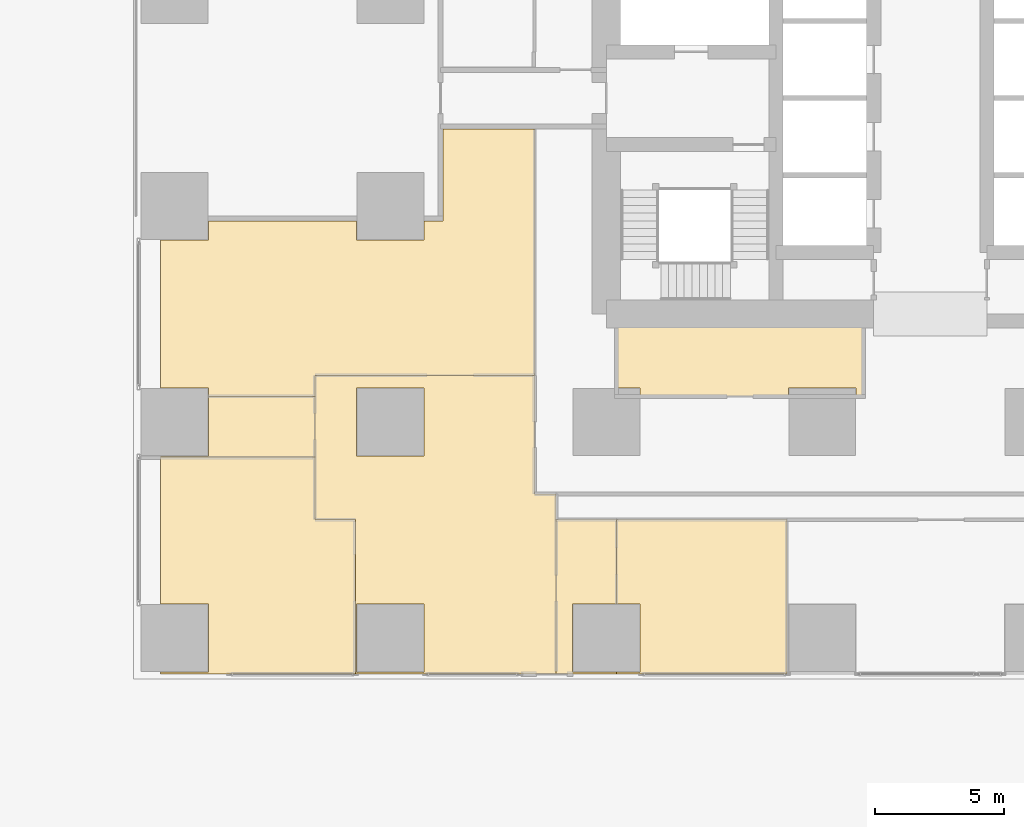
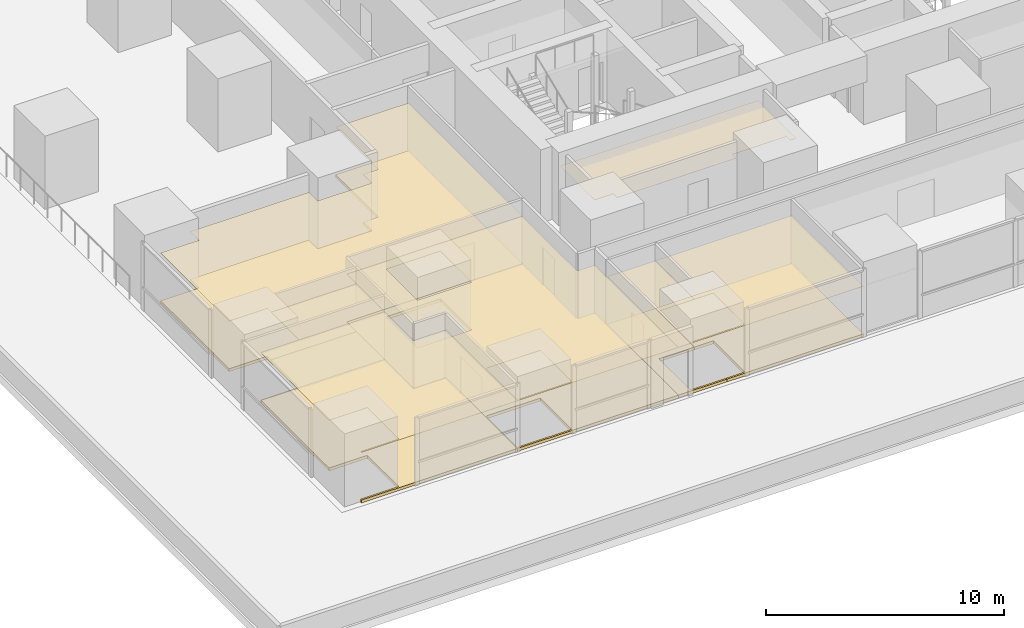
# One storey, part 27 of 35: 13 coverings.
"""IFC4 building model written with IfcOpenShell, lengths in metres."""

from ifc_helpers import new_model, si_unit, direction, frame, origin, place, context, subcontext, project, spatial, polyline, outline, extrude, material, layer, layer_set, type_object, element, save


model = new_model("IFC4")

# Units and contexts
model_context = context("Model", 3, precision=1e-05, world=origin(), true_north=direction((0.0, 1.0)))
body_context = subcontext(model_context, "Body", "Model", "MODEL_VIEW")
ifc_project = project(units=[si_unit("LENGTHUNIT", "METRE"), si_unit("AREAUNIT", "SQUARE_METRE"), si_unit("VOLUMEUNIT", "CUBIC_METRE"), si_unit("PLANEANGLEUNIT", "RADIAN"), si_unit("MASSUNIT", "GRAM", prefix="KILO")], contexts=[model_context])

# Site, building, storey
site_placement = place(None, origin())
site = spatial("IfcSite", under=ifc_project, at=site_placement, CompositionType="ELEMENT")
building_placement = place(site_placement, origin())
building = spatial("IfcBuilding", under=site, at=building_placement, Name="Rekha Terrace Tower", CompositionType="ELEMENT")
storey_placement = place(building_placement, frame((0.0, 0.0, 25.39990234375)))
storey = spatial("IfcBuildingStorey", under=building, at=storey_placement, Name="L05", CompositionType="ELEMENT", Elevation=25.39990234375)

# Coverings
ifc_material_1 = material(Name="Mineral fibre tile in exposed grid", Category="finish")
ifc_layer_1 = layer(ifc_material_1, 0.02001953125)
ifc_layer_set_1 = layer_set([ifc_layer_1], Name="Mineral fibre tile in exposed grid")
covering_type_1 = type_object("IfcCoveringType", Name="CL1 600x1200 office grid ceiling", PredefinedType="CEILING", material=ifc_layer_set_1)
covering_1_placement = place(storey_placement, frame((0.0, 0.0, 2.580078125)))
element("IfcCovering", 1, at=covering_1_placement, inside=storey, type_object=covering_type_1, Name="Ceiling L05-07", PredefinedType="CEILING", context=body_context, shape_type="SweptSolid", body=[
    extrude(outline(polyline([(25.59912109375, 9.715087890625), (25.59912109375, 13.0), (23.2509765625, 13.0), (23.2509765625, 7.0), (25.59912109375, 7.0), (25.59912109375, 7.0849609375), (23.885009765625, 7.0849609375), (23.885009765625, 9.715087890625), (25.59912109375, 9.715087890625)])), origin(), (0.0, 0.0, 1.0), 0.02001953125),
])
covering_2_placement = place(storey_placement, frame((0.0, 0.0, 2.580078125)))
element("IfcCovering", 2, at=covering_2_placement, inside=storey, type_object=covering_type_1, Name="Ceiling L05-08", PredefinedType="CEILING", context=body_context, shape_type="SweptSolid", body=[
    extrude(outline(polyline([(32.23388671875, 7.0), (32.23388671875, 13.0), (25.60009765625, 13.0), (25.60009765625, 9.715087890625), (26.514892578125, 9.715087890625), (26.514892578125, 7.0849609375), (25.60009765625, 7.0849609375), (25.60009765625, 7.0), (32.23388671875, 7.0)])), origin(), (0.0, 0.0, 1.0), 0.02001953125),
])
covering_3_placement = place(storey_placement, frame((0.0, 0.0, 2.580078125)))
element("IfcCovering", 3, at=covering_3_placement, inside=storey, type_object=covering_type_1, Name="Ceiling L05-16", PredefinedType="CEILING", context=body_context, shape_type="SweptSolid", body=[
    extrude(outline(polyline([(9.715087890625, 18.114990234375), (9.715087890625, 17.801025390625), (13.860107421875, 17.801025390625), (13.860107421875, 18.618896484375), (22.39990234375, 18.618896484375), (22.39990234375, 28.198974609375), (18.85107421875, 28.198974609375), (18.85107421875, 24.618896484375), (18.114990234375, 24.618896484375), (18.114990234375, 23.885009765625), (15.485107421875, 23.885009765625), (15.485107421875, 24.618896484375), (9.715087890625, 24.618896484375), (9.715087890625, 23.885009765625), (7.860107421875, 23.885009765625), (7.860107421875, 18.114990234375), (9.715087890625, 18.114990234375)])), origin(), (0.0, 0.0, 1.0), 0.02001953125),
])
covering_4_placement = place(storey_placement, frame((0.0, 0.0, 2.580078125)))
element("IfcCovering", 4, at=covering_4_placement, inside=storey, type_object=covering_type_1, Name="Ceiling L05-17", PredefinedType="CEILING", context=body_context, shape_type="SweptSolid", body=[
    extrude(outline(polyline([(9.715087890625, 15.485107421875), (7.860107421875, 15.485107421875), (7.860107421875, 15.447998046875), (13.860107421875, 15.447998046875), (13.860107421875, 17.800048828125), (9.715087890625, 17.800048828125), (9.715087890625, 15.485107421875)])), origin(), (0.0, 0.0, 1.0), 0.02001953125),
])
covering_5_placement = place(storey_placement, frame((0.0, 0.0, 2.580078125)))
element("IfcCovering", 5, at=covering_5_placement, inside=storey, type_object=covering_type_1, Name="Ceiling L05-18", PredefinedType="CEILING", context=body_context, shape_type="SweptSolid", body=[
    extrude(outline(polyline([(7.860107421875, 7.0), (15.43505859375, 7.0), (15.43505859375, 13.0), (13.860107421875, 13.0), (13.860107421875, 15.447021484375), (7.860107421875, 15.447021484375), (7.860107421875, 9.715087890625), (9.715087890625, 9.715087890625), (9.715087890625, 7.0849609375), (7.860107421875, 7.0849609375), (7.860107421875, 7.0)])), origin(), (0.0, 0.0, 1.0), 0.02001953125),
])
covering_6_placement = place(storey_placement, frame((0.0, 0.0, 2.580078125)))
element("IfcCovering", 6, at=covering_6_placement, inside=storey, type_object=covering_type_1, Name="Ceiling L05-O4", PredefinedType="CEILING", context=body_context, shape_type="SweptSolid", body=[
    extrude(outline(polyline([(22.39990234375, 18.618896484375), (13.860107421875, 18.618896484375), (13.860107421875, 13.0), (15.43505859375, 13.0), (15.43505859375, 7.0), (23.25, 7.0), (23.25, 14.0), (22.39990234375, 14.0), (22.39990234375, 18.618896484375)]), holes=[polyline([(18.114990234375, 7.0849609375), (15.485107421875, 7.0849609375), (15.485107421875, 9.715087890625), (18.114990234375, 9.715087890625), (18.114990234375, 7.0849609375)]), polyline([(18.114990234375, 15.485107421875), (15.485107421875, 15.485107421875), (15.485107421875, 18.114990234375), (18.114990234375, 18.114990234375), (18.114990234375, 15.485107421875)])]), origin(), (0.0, 0.0, 1.0), 0.02001953125),
])
ifc_material_2 = material(Name="Fibre cement board", Category="finish")
ifc_layer_2 = layer(ifc_material_2, 0.014892578125)
ifc_layer_set_2 = layer_set([ifc_layer_2], Name="Fibre cement board")
covering_type_2 = type_object("IfcCoveringType", Name="CL2 moisture-resistant board ceiling", PredefinedType="CEILING", material=ifc_layer_set_2)
covering_7_placement = place(storey_placement, frame((0.0, 0.0, 2.585205078125)))
element("IfcCovering", 7, at=covering_7_placement, inside=storey, type_object=covering_type_2, Name="Ceiling L05-WCM", PredefinedType="CEILING", context=body_context, shape_type="SweptSolid", body=[
    extrude(outline(polyline([(35.199951171875, 21.0), (25.60009765625, 21.0), (25.60009765625, 18.114990234375), (26.514892578125, 18.114990234375), (26.514892578125, 17.800048828125), (32.284912109375, 17.800048828125), (32.284912109375, 18.114990234375), (34.9150390625, 18.114990234375), (34.9150390625, 17.800048828125), (35.199951171875, 17.800048828125), (35.199951171875, 21.0)])), origin(), (0.0, 0.0, 1.0), 0.014892578125),
])
ifc_material_3 = material(Name="Calcium sulphate panels on steel pedestals", Category="steel")
ifc_layer_3 = layer(ifc_material_3, 0.14990234375)
ifc_layer_set_3 = layer_set([ifc_layer_3], Name="Calcium sulphate panels on steel pedestals")
covering_type_3 = type_object("IfcCoveringType", Name="RF1 150 raised access floor", PredefinedType="FLOORING", material=ifc_layer_set_3)
covering_8_placement = place(storey_placement, origin())
element("IfcCovering", 8, at=covering_8_placement, inside=storey, type_object=covering_type_3, Name="Raised floor L05-07", PredefinedType="FLOORING", context=body_context, shape_type="SweptSolid", body=[
    extrude(outline(polyline([(25.59912109375, 9.715087890625), (25.59912109375, 13.0), (23.2509765625, 13.0), (23.2509765625, 7.0), (25.59912109375, 7.0), (25.59912109375, 7.0849609375), (23.885009765625, 7.0849609375), (23.885009765625, 9.715087890625), (25.59912109375, 9.715087890625)])), origin(), (0.0, 0.0, 1.0), 0.150146484375),
])
covering_9_placement = place(storey_placement, origin())
element("IfcCovering", 9, at=covering_9_placement, inside=storey, type_object=covering_type_3, Name="Raised floor L05-08", PredefinedType="FLOORING", context=body_context, shape_type="SweptSolid", body=[
    extrude(outline(polyline([(32.23388671875, 7.0), (32.23388671875, 13.0), (25.60009765625, 13.0), (25.60009765625, 9.715087890625), (26.514892578125, 9.715087890625), (26.514892578125, 7.0849609375), (25.60009765625, 7.0849609375), (25.60009765625, 7.0), (32.23388671875, 7.0)])), origin(), (0.0, 0.0, 1.0), 0.150146484375),
])
covering_10_placement = place(storey_placement, origin())
element("IfcCovering", 10, at=covering_10_placement, inside=storey, type_object=covering_type_3, Name="Raised floor L05-16", PredefinedType="FLOORING", context=body_context, shape_type="SweptSolid", body=[
    extrude(outline(polyline([(9.715087890625, 18.114990234375), (9.715087890625, 17.801025390625), (13.860107421875, 17.801025390625), (13.860107421875, 18.618896484375), (22.39990234375, 18.618896484375), (22.39990234375, 28.198974609375), (18.85107421875, 28.198974609375), (18.85107421875, 24.618896484375), (18.114990234375, 24.618896484375), (18.114990234375, 23.885009765625), (15.485107421875, 23.885009765625), (15.485107421875, 24.618896484375), (9.715087890625, 24.618896484375), (9.715087890625, 23.885009765625), (7.860107421875, 23.885009765625), (7.860107421875, 18.114990234375), (9.715087890625, 18.114990234375)])), origin(), (0.0, 0.0, 1.0), 0.150146484375),
])
covering_11_placement = place(storey_placement, origin())
element("IfcCovering", 11, at=covering_11_placement, inside=storey, type_object=covering_type_3, Name="Raised floor L05-17", PredefinedType="FLOORING", context=body_context, shape_type="SweptSolid", body=[
    extrude(outline(polyline([(9.715087890625, 15.485107421875), (7.860107421875, 15.485107421875), (7.860107421875, 15.447998046875), (13.860107421875, 15.447998046875), (13.860107421875, 17.800048828125), (9.715087890625, 17.800048828125), (9.715087890625, 15.485107421875)])), origin(), (0.0, 0.0, 1.0), 0.150146484375),
])
covering_12_placement = place(storey_placement, origin())
element("IfcCovering", 12, at=covering_12_placement, inside=storey, type_object=covering_type_3, Name="Raised floor L05-18", PredefinedType="FLOORING", context=body_context, shape_type="SweptSolid", body=[
    extrude(outline(polyline([(7.860107421875, 7.0), (15.43505859375, 7.0), (15.43505859375, 13.0), (13.860107421875, 13.0), (13.860107421875, 15.447021484375), (7.860107421875, 15.447021484375), (7.860107421875, 9.715087890625), (9.715087890625, 9.715087890625), (9.715087890625, 7.0849609375), (7.860107421875, 7.0849609375), (7.860107421875, 7.0)])), origin(), (0.0, 0.0, 1.0), 0.150146484375),
])
covering_13_placement = place(storey_placement, origin())
element("IfcCovering", 13, at=covering_13_placement, inside=storey, type_object=covering_type_3, Name="Raised floor L05-O4", PredefinedType="FLOORING", context=body_context, shape_type="SweptSolid", body=[
    extrude(outline(polyline([(22.39990234375, 18.618896484375), (13.860107421875, 18.618896484375), (13.860107421875, 13.0), (15.43505859375, 13.0), (15.43505859375, 7.0), (23.25, 7.0), (23.25, 14.0), (22.39990234375, 14.0), (22.39990234375, 18.618896484375)]), holes=[polyline([(18.114990234375, 7.0849609375), (15.485107421875, 7.0849609375), (15.485107421875, 9.715087890625), (18.114990234375, 9.715087890625), (18.114990234375, 7.0849609375)]), polyline([(18.114990234375, 15.485107421875), (15.485107421875, 15.485107421875), (15.485107421875, 18.114990234375), (18.114990234375, 18.114990234375), (18.114990234375, 15.485107421875)])]), origin(), (0.0, 0.0, 1.0), 0.150146484375),
])

save(model, "model.ifc")
